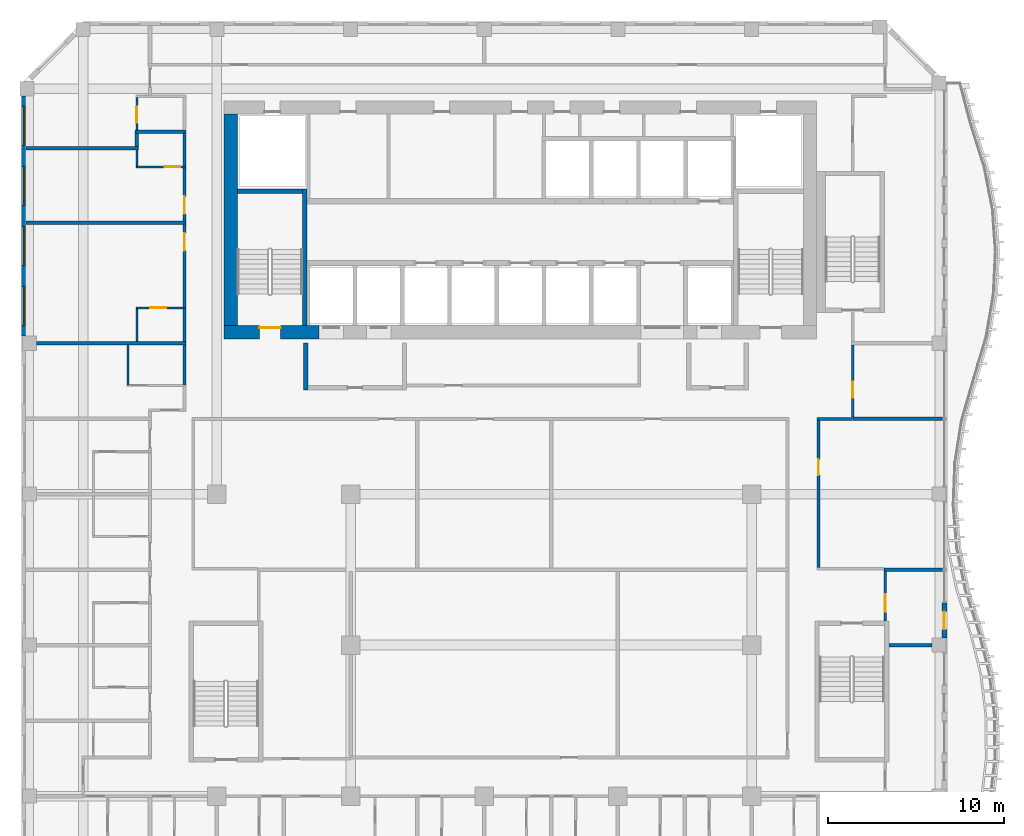
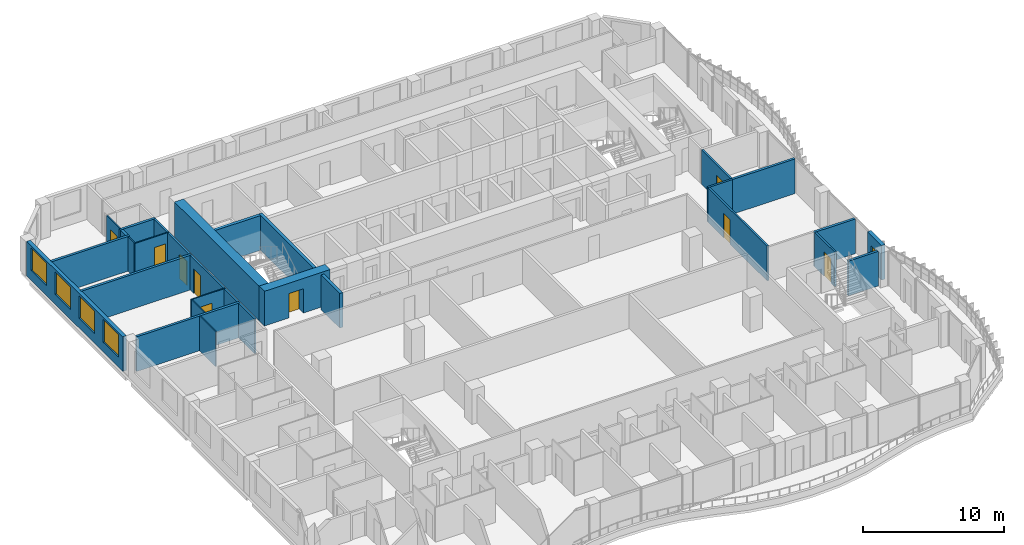
# One storey, part 14 of 24: 30 walls, 10 doors, 4 windows, 14 openings.
"""IFC4 building model written with IfcOpenShell, lengths in metres."""

import ifcopenshell
import ifcopenshell.guid

model = None  # the IFC model being written
_history = None  # IfcOwnerHistory: only IFC2X3 demands one
_inside = {}  # id of a spatial element -> (the spatial element, [elements in it])
_under = {}  # id of a project, library or spatial element -> (it, [spatial elements below it])
_declared = {}  # id of a project -> (the project, [libraries it declares])
_typed = {}  # id of a type object -> (the type object, [elements of that type])
_made_of = {}  # id of a material, layer set ... -> (it, [elements and type objects made of it])


def new_model(schema):
    """Start an empty IFC model of exactly this schema.

    Asked for "IFC4X3", IfcOpenShell would pick the latest addendum, in which some entities
    have other attributes; the version numbers below select the first issue.
    IFC2X3 requires an IfcOwnerHistory on every rooted entity: one is made here for all.
    """
    global model, _history
    if schema == "IFC4X3":
        model = ifcopenshell.file(schema_version=(4, 3, 0, 0))
    else:
        model = ifcopenshell.file(schema=schema)
    _inside.clear()
    _under.clear()
    _declared.clear()
    _typed.clear()
    _made_of.clear()
    _history = None
    if model.schema == "IFC2X3":
        org = make("IfcOrganization", Name="unknown")
        user = make(
            "IfcPersonAndOrganization",
            ThePerson=make("IfcPerson", FamilyName="unknown"),
            TheOrganization=org,
        )
        app = make(
            "IfcApplication",
            ApplicationDeveloper=org,
            Version="unknown",
            ApplicationFullName="unknown",
            ApplicationIdentifier="unknown",
        )
        _history = make(
            "IfcOwnerHistory",
            OwningUser=user,
            OwningApplication=app,
            ChangeAction="ADDED",
            CreationDate=0,
        )
    return model


def make(cls, **values):
    """One entity of the class cls with the attributes given. An attribute that is None is left unset."""
    return model.create_entity(
        cls, **{name: value for name, value in values.items() if value is not None}
    )


def rooted(cls, **values):
    """An entity with a GlobalId (a new one), such as an element, a storey or a relation."""
    return make(cls, GlobalId=ifcopenshell.guid.new(), OwnerHistory=_history, **values)


def si_unit(unit_type, name, prefix=None):
    """IfcSIUnit, for example si_unit("LENGTHUNIT", "METRE", prefix="MILLI")."""
    return make("IfcSIUnit", UnitType=unit_type, Prefix=prefix, Name=name)


def assignment(units):
    """IfcUnitAssignment: the units of a project."""
    return None if units is None else make("IfcUnitAssignment", Units=units)


def point(xyz):
    """IfcCartesianPoint."""
    return None if xyz is None else make("IfcCartesianPoint", Coordinates=xyz)


def direction(xyz):
    """IfcDirection."""
    return None if xyz is None else make("IfcDirection", DirectionRatios=xyz)


def frame(location, z_axis=None, x_axis=None):
    """IfcAxis2Placement3D, a coordinate frame: its origin and axes. An axis left out is left unset."""
    return make(
        "IfcAxis2Placement3D",
        Location=point(location),
        Axis=direction(z_axis),
        RefDirection=direction(x_axis),
    )


def frame_2d(location, x_axis=None):
    """IfcAxis2Placement2D, a coordinate frame in the plane: its origin and x axis."""
    return make(
        "IfcAxis2Placement2D", Location=point(location), RefDirection=direction(x_axis)
    )


def origin():
    """The frame at (0, 0, 0) with its axes left unset."""
    return frame((0.0, 0.0, 0.0))


def place(relative_to, where):
    """IfcLocalPlacement: puts the frame where relative to a parent placement (None: the world)."""
    return make(
        "IfcLocalPlacement", PlacementRelTo=relative_to, RelativePlacement=where
    )


def context(
    kind, dimensions, precision=None, world=None, true_north=None, identifier=None
):
    """IfcGeometricRepresentationContext, for example the 3D "Model" context."""
    return make(
        "IfcGeometricRepresentationContext",
        ContextIdentifier=identifier,
        ContextType=kind,
        CoordinateSpaceDimension=dimensions,
        Precision=precision,
        WorldCoordinateSystem=world,
        TrueNorth=true_north,
    )


def subcontext(parent, identifier, kind, view, scale=None):
    """IfcGeometricRepresentationSubContext, for example "Body" below "Model"."""
    return make(
        "IfcGeometricRepresentationSubContext",
        ContextIdentifier=identifier,
        ContextType=kind,
        ParentContext=parent,
        TargetScale=scale,
        TargetView=view,
    )


def project(units=None, contexts=None):
    """IfcProject with its units and contexts."""
    return rooted(
        "IfcProject",
        Name="project",
        RepresentationContexts=contexts,
        UnitsInContext=assignment(units),
    )


def spatial(cls, under=None, at=None, **own):
    """A site, building, storey or space (cls), placed at a placement, below another one or the project."""
    s = rooted(cls, ObjectPlacement=at, **own)
    if under is not None:
        _under.setdefault(under.id(), (under, []))[1].append(s)
    return s


def profile(cls, at=None, kind="AREA", **sizes):
    """A parametric profile (cls). Its sizes go by their IFC names, for example OverallWidth=200.0."""
    return make(cls, ProfileType=kind, Position=at, **sizes)


def rectangle(**sizes):
    """IfcRectangleProfileDef."""
    return profile("IfcRectangleProfileDef", **sizes)


def extrude(swept, where, along, depth):
    """IfcExtrudedAreaSolid: the profile swept, set in the frame where, extruded along a direction by depth."""
    return make(
        "IfcExtrudedAreaSolid",
        SweptArea=swept,
        Position=where,
        ExtrudedDirection=direction(along),
        Depth=depth,
    )


def shape(context_of_items, identifier, shape_type, items):
    """IfcShapeRepresentation: the items that make up one representation, for example the "Body"."""
    return make(
        "IfcShapeRepresentation",
        ContextOfItems=context_of_items,
        RepresentationIdentifier=identifier,
        RepresentationType=shape_type,
        Items=items,
    )


def source(mapping_origin, context_of_items, identifier, shape_type, items):
    """IfcRepresentationMap: a shape defined once, which mapped items show again and again."""
    return make(
        "IfcRepresentationMap",
        MappingOrigin=mapping_origin,
        MappedRepresentation=shape(context_of_items, identifier, shape_type, items),
    )


def transform(
    local_origin,
    x_axis=None,
    y_axis=None,
    z_axis=None,
    scale=None,
    scale2=None,
    scale3=None,
    uniform=True,
):
    """IfcCartesianTransformationOperator3D, or its non-uniform kind. x_axis, y_axis, z_axis: its Axis1, 2, 3."""
    if uniform:
        return make(
            "IfcCartesianTransformationOperator3D",
            Axis1=direction(x_axis),
            Axis2=direction(y_axis),
            LocalOrigin=point(local_origin),
            Scale=scale,
            Axis3=direction(z_axis),
        )
    return make(
        "IfcCartesianTransformationOperator3DnonUniform",
        Axis1=direction(x_axis),
        Axis2=direction(y_axis),
        LocalOrigin=point(local_origin),
        Scale=scale,
        Axis3=direction(z_axis),
        Scale2=scale2,
        Scale3=scale3,
    )


def mapped(mapping_source, mapping_target):
    """IfcMappedItem: shows the shape of a source again, moved by a transform."""
    return make(
        "IfcMappedItem", MappingSource=mapping_source, MappingTarget=mapping_target
    )


def material(Name=None, Category=None):
    """IfcMaterial."""
    return make("IfcMaterial", Name=Name, Category=Category)


def layer(
    of_material, thickness, ventilated=None, Name=None, Category=None, Priority=None
):
    """IfcMaterialLayer: one layer of a wall or slab, of a material (None: an air gap)."""
    return make(
        "IfcMaterialLayer",
        Material=of_material,
        LayerThickness=thickness,
        IsVentilated=ventilated,
        Name=Name,
        Category=Category,
        Priority=Priority,
    )


def layer_set(layers, Name=None):
    """IfcMaterialLayerSet."""
    return make("IfcMaterialLayerSet", MaterialLayers=layers, LayerSetName=Name)


def made_of(thing, what):
    """Note that an element or type object is made of a material, layer set ...; save() writes the relation."""
    if what is not None:
        _made_of.setdefault(what.id(), (what, []))[1].append(thing)
    return thing


def type_object(cls, material=None, **own):
    """A type object (cls), such as IfcWallType, which elements share."""
    return made_of(rooted(cls, **own), material)


def element(
    cls,
    number,
    at=None,
    inside=None,
    cuts=None,
    type_object=None,
    material=None,
    context=None,
    identifier="Body",
    shape_type=None,
    held_by="IfcProductDefinitionShape",
    body=None,
    shapes=None,
    **own,
):
    """One element of the class cls, such as IfcWall. Its Tag is "e" and its number.

    at: its placement. inside: the storey or other place that contains it. cuts: it is an
    opening in that element (IfcRelVoidsElement). A single representation is given by context,
    identifier, shape_type and body (its items); several are given by shapes. held_by: the class
    of the entity that holds the representations. save() writes the other relations.
    """
    e = rooted(cls, Tag="e%d" % number, ObjectPlacement=at, **own)
    if body is not None:
        shapes = [shape(context, identifier, shape_type, body)]
    if shapes is not None:
        e.Representation = make(held_by, Representations=shapes)
    if inside is not None:
        _inside.setdefault(inside.id(), (inside, []))[1].append(e)
    if cuts is not None:
        rooted(
            "IfcRelVoidsElement", RelatingBuildingElement=cuts, RelatedOpeningElement=e
        )
    if type_object is not None:
        _typed.setdefault(type_object.id(), (type_object, []))[1].append(e)
    return made_of(e, material)


def fill(opening, filler):
    """IfcRelFillsElement: the door or window that sits in an opening."""
    return rooted(
        "IfcRelFillsElement",
        RelatingOpeningElement=opening,
        RelatedBuildingElement=filler,
    )


def aggregate(whole, parts):
    """IfcRelAggregates: a whole, such as a stair, and the parts it consists of."""
    return rooted("IfcRelAggregates", RelatingObject=whole, RelatedObjects=parts)


def save(model, path):
    """Write the relations noted so far, then the file.

    IfcRelAggregates (storeys below a building ...), IfcRelContainedInSpatialStructure (elements
    in a storey), IfcRelDefinesByType, IfcRelAssociatesMaterial and IfcRelDeclares: one each for
    every whole, place, type object, material and project.
    """
    for whole, parts in _under.values():
        aggregate(whole, parts)
    for where, things in _inside.values():
        rooted(
            "IfcRelContainedInSpatialStructure",
            RelatedElements=things,
            RelatingStructure=where,
        )
    for kind, things in _typed.values():
        rooted("IfcRelDefinesByType", RelatedObjects=things, RelatingType=kind)
    for what, things in _made_of.values():
        rooted("IfcRelAssociatesMaterial", RelatedObjects=things, RelatingMaterial=what)
    for by, libraries in _declared.values():
        rooted("IfcRelDeclares", RelatingContext=by, RelatedDefinitions=libraries)
    model.write(path)


model = new_model("IFC4")

# Units and contexts
model_context = context("Model", 3, precision=1e-05, world=origin(), true_north=direction((0.0, 1.0)))
body_context = subcontext(model_context, "Body", "Model", "MODEL_VIEW")
ifc_project = project(units=[si_unit("LENGTHUNIT", "METRE"), si_unit("AREAUNIT", "SQUARE_METRE"), si_unit("VOLUMEUNIT", "CUBIC_METRE"), si_unit("PLANEANGLEUNIT", "RADIAN"), si_unit("MASSUNIT", "GRAM", prefix="KILO")], contexts=[model_context])

# Site, building, storey
site_placement = place(None, origin())
site = spatial("IfcSite", under=ifc_project, at=site_placement, CompositionType="ELEMENT")
building_placement = place(site_placement, origin())
building = spatial("IfcBuilding", under=site, at=building_placement, Name="Kilnfold Tower and Market Hall", CompositionType="ELEMENT")
storey_placement = place(building_placement, frame((0.0, 0.0, 192.300048828125)))
storey = spatial("IfcBuildingStorey", under=building, at=storey_placement, Name="L46", CompositionType="ELEMENT", Elevation=192.300048828125)

# Wall
ifc_material_1 = material(Name="Gypsum board on steel studs", Category="steel")
ifc_layer_1 = layer(ifc_material_1, 0.14990234375)
ifc_layer_set_1 = layer_set([ifc_layer_1], Name="Gypsum board on steel studs")
wall_type_1 = type_object("IfcWallType", Name="WALL CORRIDOR 150", PredefinedType="PARTITIONING", material=ifc_layer_set_1)
wall_1_placement = place(storey_placement, frame((-18.0, 5.639892578125, 0.0), z_axis=(0.0, 0.0, 1.0), x_axis=(0.0, 1.0, 0.0)))
element("IfcWall", 1, at=wall_1_placement, inside=storey, type_object=wall_type_1, Name="Partition LY28.21", PredefinedType="PARTITIONING", context=body_context, shape_type="SweptSolid", body=[
    extrude(rectangle(XDim=2.27001953125, YDim=0.14990234375, at=frame_2d((1.135009765625, 0.0))), origin(), (0.0, 0.0, 1.0), 3.0),
])

# Wall, opening, door
wall_2_placement = place(storey_placement, frame((-18.0, 10.0400390625, 0.0), z_axis=(0.0, 0.0, 1.0), x_axis=(0.0, 1.0, 0.0)))
wall_2 = element("IfcWall", 2, at=wall_2_placement, inside=storey, type_object=wall_type_1, Name="Partition LY28.22", PredefinedType="PARTITIONING", context=body_context, shape_type="SweptSolid", body=[
    extrude(rectangle(XDim=4.70703125, YDim=0.14990234375, at=frame_2d((2.353515625, 0.0))), origin(), (0.0, 0.0, 1.0), 3.0),
])
opening_1_placement = place(wall_2_placement, frame((3.2060546875, 0.0, 0.0)))
opening_1 = element("IfcOpeningElement", 3, at=opening_1_placement, cuts=wall_2, Name="Opening D1", PredefinedType="OPENING", context=body_context, shape_type="SweptSolid", body=[
    extrude(rectangle(XDim=1.0, YDim=2.10009765625, at=frame_2d((0.5, 1.050048828125))), frame((0.0, 0.0849609375, 0.0), z_axis=(0.0, -1.0, 0.0), x_axis=(1.0, 0.0, 0.0)), (0.0, 0.0, 1.0), 0.169921875),
])
ifc_material_2 = material(Name="Timber veneer door leaf in steel frame", Category="steel")
door_type_1 = type_object("IfcDoorType", Name="DOOR ENTRY 1000 X2100", OperationType="NOTDEFINED", PredefinedType="DOOR", material=ifc_material_2)
door_1_placement = place(opening_1_placement, origin())
door_1 = element("IfcDoor", 4, at=door_1_placement, inside=storey, type_object=door_type_1, Name="Door D1", OperationType="SINGLE_SWING_RIGHT", OverallHeight=2.10009765625, OverallWidth=1.0, PredefinedType="DOOR", context=body_context, shape_type="SweptSolid", body=[
    extrude(rectangle(XDim=1.0, YDim=2.10009765625, at=frame_2d((0.5, 1.050048828125))), frame((0.0, 0.02490234375, 0.0), z_axis=(0.0, -1.0, 0.0), x_axis=(1.0, 0.0, 0.0)), (0.0, 0.0, 1.0), 0.050048828125),
])
fill(opening_1, door_1)

# Wall
wall_3_placement = place(storey_placement, frame((-18.0, 8.090087890625, 0.0), z_axis=(0.0, 0.0, 1.0), x_axis=(0.0, 1.0, 0.0)))
element("IfcWall", 5, at=wall_3_placement, inside=storey, type_object=wall_type_1, Name="Partition LY28.23", PredefinedType="PARTITIONING", context=body_context, shape_type="SweptSolid", body=[
    extrude(rectangle(XDim=1.869873046875, YDim=0.14990234375, at=frame_2d((0.93505859375, 0.0))), origin(), (0.0, 0.0, 1.0), 3.0),
])

# Wall, opening, door
wall_4_placement = place(storey_placement, frame((-18.0, 14.927001953125, 0.0), z_axis=(0.0, 0.0, 1.0), x_axis=(0.0, 1.0, 0.0)))
wall_4 = element("IfcWall", 6, at=wall_4_placement, inside=storey, type_object=wall_type_1, Name="Partition LY28.24", PredefinedType="PARTITIONING", context=body_context, shape_type="SweptSolid", body=[
    extrude(rectangle(XDim=3.032958984375, YDim=0.14990234375, at=frame_2d((1.5166015625, 0.0))), origin(), (0.0, 0.0, 1.0), 3.0),
])
opening_2_placement = place(wall_4_placement, frame((0.404052734375, 0.0, 0.0)))
opening_2 = element("IfcOpeningElement", 7, at=opening_2_placement, cuts=wall_4, Name="Opening D1", PredefinedType="OPENING", context=body_context, shape_type="SweptSolid", body=[
    extrude(rectangle(XDim=1.0, YDim=2.10009765625, at=frame_2d((0.5, 1.050048828125))), frame((0.0, 0.0849609375, 0.0), z_axis=(0.0, -1.0, 0.0), x_axis=(1.0, 0.0, 0.0)), (0.0, 0.0, 1.0), 0.169921875),
])
door_2_placement = place(opening_2_placement, origin())
door_2 = element("IfcDoor", 8, at=door_2_placement, inside=storey, type_object=door_type_1, Name="Door D1", OperationType="SINGLE_SWING_LEFT", OverallHeight=2.10009765625, OverallWidth=1.0, PredefinedType="DOOR", context=body_context, shape_type="SweptSolid", body=[
    extrude(rectangle(XDim=1.0, YDim=2.10009765625, at=frame_2d((0.5, 1.050048828125))), frame((0.0, 0.02490234375, 0.0), z_axis=(0.0, -1.0, 0.0), x_axis=(1.0, 0.0, 0.0)), (0.0, 0.0, 1.0), 0.050048828125),
])
fill(opening_2, door_2)

# Wall
wall_5_placement = place(storey_placement, frame((-18.0, 18.0400390625, 0.0), z_axis=(0.0, 0.0, 1.0), x_axis=(0.0, 1.0, 0.0)))
element("IfcWall", 9, at=wall_5_placement, inside=storey, type_object=wall_type_1, Name="Partition LY28.25", PredefinedType="PARTITIONING", context=body_context, shape_type="SweptSolid", body=[
    extrude(rectangle(XDim=1.869873046875, YDim=0.14990234375, at=frame_2d((0.93505859375, 0.0))), origin(), (0.0, 0.0, 1.0), 3.0),
])

# Wall, opening, door
wall_6_placement = place(storey_placement, frame((19.89990234375, 3.80908203125, 0.0), z_axis=(0.0, 0.0, 1.0), x_axis=(0.0, 1.0, 0.0)))
wall_6 = element("IfcWall", 10, at=wall_6_placement, inside=storey, type_object=wall_type_1, Name="Partition LY28.29", PredefinedType="PARTITIONING", context=body_context, shape_type="SweptSolid", body=[
    extrude(rectangle(XDim=4.100830078125, YDim=0.14990234375, at=frame_2d((2.05029296875, 0.0))), origin(), (0.0, 0.0, 1.0), 3.0),
])
opening_3_placement = place(wall_6_placement, frame((1.10009765625, 0.0, 0.0)))
opening_3 = element("IfcOpeningElement", 11, at=opening_3_placement, cuts=wall_6, Name="Opening D2", PredefinedType="OPENING", context=body_context, shape_type="SweptSolid", body=[
    extrude(rectangle(XDim=0.89990234375, YDim=2.10009765625, at=frame_2d((0.449951171875, 1.050048828125))), frame((0.0, 0.0849609375, 0.0), z_axis=(0.0, -1.0, 0.0), x_axis=(1.0, 0.0, 0.0)), (0.0, 0.0, 1.0), 0.169921875),
])
ifc_material_3 = material(Name="Timber veneer door leaf in steel frame", Category="steel")
door_type_2 = type_object("IfcDoorType", Name="DOOR ROOM 900 X2100", OperationType="NOTDEFINED", PredefinedType="DOOR", material=ifc_material_3)
door_3_placement = place(opening_3_placement, origin())
door_3 = element("IfcDoor", 12, at=door_3_placement, inside=storey, type_object=door_type_2, Name="Door D2", OperationType="SINGLE_SWING_RIGHT", OverallHeight=2.10009765625, OverallWidth=0.89990234375, PredefinedType="DOOR", context=body_context, shape_type="SweptSolid", body=[
    extrude(rectangle(XDim=0.89990234375, YDim=2.10009765625, at=frame_2d((0.449951171875, 1.050048828125))), frame((0.0, 0.02490234375, 0.0), z_axis=(0.0, -1.0, 0.0), x_axis=(1.0, 0.0, 0.0)), (0.0, 0.0, 1.0), 0.050048828125),
])
fill(opening_3, door_3)

# Wall
wall_7_placement = place(storey_placement, frame((17.884033203125, 3.699951171875, 0.0), z_axis=(0.0, 0.0, 1.0), x_axis=(1.0, 0.0, 0.0)))
element("IfcWall", 13, at=wall_7_placement, inside=storey, type_object=wall_type_1, Name="Partition LY28.34", PredefinedType="PARTITIONING", context=body_context, shape_type="SweptSolid", body=[
    extrude(rectangle(XDim=2.015869140625, YDim=0.14990234375, at=frame_2d((1.0078125, 0.0))), origin(), (0.0, 0.0, 1.0), 3.0),
])

# Wall, opening, door
wall_8_placement = place(storey_placement, frame((17.958984375, -4.72509765625, 0.0), z_axis=(0.0, 0.0, 1.0), x_axis=(0.0, 1.0, 0.0)))
wall_8 = element("IfcWall", 14, at=wall_8_placement, inside=storey, type_object=wall_type_1, Name="Partition LY28.35", PredefinedType="PARTITIONING", context=body_context, shape_type="SweptSolid", body=[
    extrude(rectangle(XDim=8.35009765625, YDim=0.14990234375, at=frame_2d((4.175048828125, 0.0))), origin(), (0.0, 0.0, 1.0), 3.0),
])
opening_4_placement = place(wall_8_placement, frame((5.236083984375, 0.0, 0.0)))
opening_4 = element("IfcOpeningElement", 15, at=opening_4_placement, cuts=wall_8, Name="Opening D2", PredefinedType="OPENING", context=body_context, shape_type="SweptSolid", body=[
    extrude(rectangle(XDim=0.89990234375, YDim=2.10009765625, at=frame_2d((0.449951171875, 1.050048828125))), frame((0.0, 0.0849609375, 0.0), z_axis=(0.0, -1.0, 0.0), x_axis=(1.0, 0.0, 0.0)), (0.0, 0.0, 1.0), 0.169921875),
])
door_4_placement = place(opening_4_placement, origin())
door_4 = element("IfcDoor", 16, at=door_4_placement, inside=storey, type_object=door_type_2, Name="Door D2", OperationType="SINGLE_SWING_LEFT", OverallHeight=2.10009765625, OverallWidth=0.89990234375, PredefinedType="DOOR", context=body_context, shape_type="SweptSolid", body=[
    extrude(rectangle(XDim=0.89990234375, YDim=2.10009765625, at=frame_2d((0.449951171875, 1.050048828125))), frame((0.0, 0.02490234375, 0.0), z_axis=(0.0, -1.0, 0.0), x_axis=(1.0, 0.0, 0.0)), (0.0, 0.0, 1.0), 0.050048828125),
])
fill(opening_4, door_4)

wall_9_placement = place(storey_placement, frame((21.75, -7.75, 0.0), z_axis=(0.0, 0.0, 1.0), x_axis=(0.0, 1.0, 0.0)))
wall_9 = element("IfcWall", 17, at=wall_9_placement, inside=storey, type_object=wall_type_1, Name="Partition LY28.37", PredefinedType="PARTITIONING", context=body_context, shape_type="SweptSolid", body=[
    extrude(rectangle(XDim=2.81689453125, YDim=0.14990234375, at=frame_2d((1.408447265625, 0.0))), origin(), (0.0, 0.0, 1.0), 3.0),
])
opening_5_placement = place(wall_9_placement, frame((0.50390625, 0.0, 0.0)))
opening_5 = element("IfcOpeningElement", 18, at=opening_5_placement, cuts=wall_9, Name="Opening D4", PredefinedType="OPENING", context=body_context, shape_type="SweptSolid", body=[
    extrude(rectangle(XDim=1.0, YDim=2.10009765625, at=frame_2d((0.5, 1.050048828125))), frame((0.0, 0.0849609375, 0.0), z_axis=(0.0, -1.0, 0.0), x_axis=(1.0, 0.0, 0.0)), (0.0, 0.0, 1.0), 0.169921875),
])
ifc_material_4 = material(Name="Timber veneer door leaf in steel frame", Category="steel")
door_type_3 = type_object("IfcDoorType", Name="DOOR SERVICE 1000 X2100", OperationType="NOTDEFINED", PredefinedType="DOOR", material=ifc_material_4)
door_5_placement = place(opening_5_placement, origin())
door_5 = element("IfcDoor", 19, at=door_5_placement, inside=storey, type_object=door_type_3, Name="Door D4", OperationType="SINGLE_SWING_RIGHT", OverallHeight=2.10009765625, OverallWidth=1.0, PredefinedType="DOOR", context=body_context, shape_type="SweptSolid", body=[
    extrude(rectangle(XDim=1.0, YDim=2.10009765625, at=frame_2d((0.5, 1.050048828125))), frame((0.0, 0.02490234375, 0.0), z_axis=(0.0, -1.0, 0.0), x_axis=(1.0, 0.0, 0.0)), (0.0, 0.0, 1.0), 0.050048828125),
])
fill(opening_5, door_5)

# Wall
ifc_material_5 = material(Name="Gypsum board on steel studs", Category="steel")
ifc_layer_2 = layer(ifc_material_5, 0.10009765625)
ifc_layer_set_2 = layer_set([ifc_layer_2], Name="Gypsum board on steel studs")
wall_type_2 = type_object("IfcWallType", Name="WALL PARTITION 100", PredefinedType="PARTITIONING", material=ifc_layer_set_2)
wall_10_placement = place(storey_placement, frame((-21.201904296875, 5.64990234375, 0.0), z_axis=(0.0, 0.0, 1.0), x_axis=(0.0, 1.0, 0.0)))
element("IfcWall", 20, at=wall_10_placement, inside=storey, type_object=wall_type_2, Name="Partition LY28.102", PredefinedType="PARTITIONING", context=body_context, shape_type="SweptSolid", body=[
    extrude(rectangle(XDim=2.25, YDim=0.10009765625, at=frame_2d((1.125, 0.0))), origin(), (0.0, 0.0, 1.0), 3.0),
])

# Wall, opening, door
wall_11_placement = place(storey_placement, frame((-20.751953125, 10.0, 0.0), z_axis=(0.0, 0.0, 1.0), x_axis=(1.0, 0.0, 0.0)))
wall_11 = element("IfcWall", 21, at=wall_11_placement, inside=storey, type_object=wall_type_2, Name="Partition LY28.104", PredefinedType="PARTITIONING", context=body_context, shape_type="SweptSolid", body=[
    extrude(rectangle(XDim=2.824951171875, YDim=0.10009765625, at=frame_2d((1.41259765625, 0.0))), origin(), (0.0, 0.0, 1.0), 3.0),
])
opening_6_placement = place(wall_11_placement, frame((0.81005859375, 0.0, 0.0)))
opening_6 = element("IfcOpeningElement", 22, at=opening_6_placement, cuts=wall_11, Name="Opening D3", PredefinedType="OPENING", context=body_context, shape_type="SweptSolid", body=[
    extrude(rectangle(XDim=0.89990234375, YDim=2.10009765625, at=frame_2d((0.449951171875, 1.050048828125))), frame((0.0, 0.06005859375, 0.0), z_axis=(0.0, -1.0, 0.0), x_axis=(1.0, 0.0, 0.0)), (0.0, 0.0, 1.0), 0.1201171875),
])
ifc_material_6 = material(Name="Timber veneer door leaf in steel frame", Category="steel")
door_type_4 = type_object("IfcDoorType", Name="DOOR WC 900 X2100", OperationType="NOTDEFINED", PredefinedType="DOOR", material=ifc_material_6)
door_6_placement = place(opening_6_placement, origin())
door_6 = element("IfcDoor", 23, at=door_6_placement, inside=storey, type_object=door_type_4, Name="Door D3", OperationType="SINGLE_SWING_LEFT", OverallHeight=2.10009765625, OverallWidth=0.89990234375, PredefinedType="DOOR", context=body_context, shape_type="SweptSolid", body=[
    extrude(rectangle(XDim=0.89990234375, YDim=2.10009765625, at=frame_2d((0.449951171875, 1.050048828125))), frame((0.0, 0.02490234375, 0.0), z_axis=(0.0, -1.0, 0.0), x_axis=(1.0, 0.0, 0.0)), (0.0, 0.0, 1.0), 0.050048828125),
])
fill(opening_6, door_6)

# Wall
wall_12_placement = place(storey_placement, frame((-20.701904296875, 8.10009765625, 0.0), z_axis=(0.0, 0.0, 1.0), x_axis=(0.0, 1.0, 0.0)))
element("IfcWall", 24, at=wall_12_placement, inside=storey, type_object=wall_type_2, Name="Partition LY28.105", PredefinedType="PARTITIONING", context=body_context, shape_type="SweptSolid", body=[
    extrude(rectangle(XDim=1.849853515625, YDim=0.10009765625, at=frame_2d((0.9248046875, 0.0))), origin(), (0.0, 0.0, 1.0), 3.0),
])

# Wall, opening, door
wall_13_placement = place(storey_placement, frame((-17.927001953125, 18.0, 0.0), z_axis=(0.0, 0.0, 1.0), x_axis=(-1.0, 0.0, 0.0)))
wall_13 = element("IfcWall", 25, at=wall_13_placement, inside=storey, type_object=wall_type_2, Name="Partition LY28.107", PredefinedType="PARTITIONING", context=body_context, shape_type="SweptSolid", body=[
    extrude(rectangle(XDim=2.824951171875, YDim=0.10009765625, at=frame_2d((1.41259765625, 0.0))), origin(), (0.0, 0.0, 1.0), 3.0),
])
opening_7_placement = place(wall_13_placement, frame((0.302001953125, 0.0, 0.0)))
opening_7 = element("IfcOpeningElement", 26, at=opening_7_placement, cuts=wall_13, Name="Opening D3", PredefinedType="OPENING", context=body_context, shape_type="SweptSolid", body=[
    extrude(rectangle(XDim=0.89990234375, YDim=2.10009765625, at=frame_2d((0.449951171875, 1.050048828125))), frame((0.0, 0.06005859375, 0.0), z_axis=(0.0, -1.0, 0.0), x_axis=(1.0, 0.0, 0.0)), (0.0, 0.0, 1.0), 0.1201171875),
])
door_7_placement = place(opening_7_placement, origin())
door_7 = element("IfcDoor", 27, at=door_7_placement, inside=storey, type_object=door_type_4, Name="Door D3", OperationType="SINGLE_SWING_RIGHT", OverallHeight=2.10009765625, OverallWidth=0.89990234375, PredefinedType="DOOR", context=body_context, shape_type="SweptSolid", body=[
    extrude(rectangle(XDim=0.89990234375, YDim=2.10009765625, at=frame_2d((0.449951171875, 1.050048828125))), frame((0.0, 0.02490234375, 0.0), z_axis=(0.0, -1.0, 0.0), x_axis=(1.0, 0.0, 0.0)), (0.0, 0.0, 1.0), 0.050048828125),
])
fill(opening_7, door_7)

# Wall
wall_14_placement = place(storey_placement, frame((-20.701904296875, 18.050048828125, 0.0), z_axis=(0.0, 0.0, 1.0), x_axis=(0.0, 1.0, 0.0)))
element("IfcWall", 28, at=wall_14_placement, inside=storey, type_object=wall_type_2, Name="Partition LY28.108", PredefinedType="PARTITIONING", context=body_context, shape_type="SweptSolid", body=[
    extrude(rectangle(XDim=0.90283203125, YDim=0.10009765625, at=frame_2d((0.451416015625, 0.0))), origin(), (0.0, 0.0, 1.0), 3.0),
])

# Wall, opening, door
wall_15_placement = place(storey_placement, frame((-20.701904296875, 20.090087890625, 0.0), z_axis=(0.0, 0.0, 1.0), x_axis=(0.0, 1.0, 0.0)))
wall_15 = element("IfcWall", 29, at=wall_15_placement, inside=storey, type_object=wall_type_2, Name="Partition LY28.113", PredefinedType="PARTITIONING", context=body_context, shape_type="SweptSolid", body=[
    extrude(rectangle(XDim=1.85986328125, YDim=0.10009765625, at=frame_2d((0.929931640625, 0.0))), origin(), (0.0, 0.0, 1.0), 3.0),
])
opening_8_placement = place(wall_15_placement, frame((0.424072265625, 0.0, 0.0)))
opening_8 = element("IfcOpeningElement", 30, at=opening_8_placement, cuts=wall_15, Name="Opening D3", PredefinedType="OPENING", context=body_context, shape_type="SweptSolid", body=[
    extrude(rectangle(XDim=0.89990234375, YDim=2.10009765625, at=frame_2d((0.449951171875, 1.050048828125))), frame((0.0, 0.06005859375, 0.0), z_axis=(0.0, -1.0, 0.0), x_axis=(1.0, 0.0, 0.0)), (0.0, 0.0, 1.0), 0.1201171875),
])
door_8_placement = place(opening_8_placement, origin())
door_8 = element("IfcDoor", 31, at=door_8_placement, inside=storey, type_object=door_type_4, Name="Door D3", OperationType="SINGLE_SWING_LEFT", OverallHeight=2.10009765625, OverallWidth=0.89990234375, PredefinedType="DOOR", context=body_context, shape_type="SweptSolid", body=[
    extrude(rectangle(XDim=0.89990234375, YDim=2.10009765625, at=frame_2d((0.449951171875, 1.050048828125))), frame((0.0, 0.02490234375, 0.0), z_axis=(0.0, -1.0, 0.0), x_axis=(1.0, 0.0, 0.0)), (0.0, 0.0, 1.0), 0.050048828125),
])
fill(opening_8, door_8)

# Walls
ifc_material_7 = material(Name="Gypsum board on steel studs", Category="steel")
ifc_layer_3 = layer(ifc_material_7, 0.199951171875)
ifc_layer_set_3 = layer_set([ifc_layer_3], Name="Gypsum board on steel studs")
wall_type_3 = type_object("IfcWallType", Name="WALL PARTY 200", PredefinedType="PARTITIONING", material=ifc_layer_set_3)
wall_16_placement = place(storey_placement, frame((-26.39990234375, 8.0, 0.0), z_axis=(0.0, 0.0, 1.0), x_axis=(1.0, 0.0, 0.0)))
element("IfcWall", 32, at=wall_16_placement, inside=storey, type_object=wall_type_3, Name="Partition LY28.103", PredefinedType="PARTITIONING", context=body_context, shape_type="SweptSolid", body=[
    extrude(rectangle(XDim=8.472900390625, YDim=0.199951171875, at=frame_2d((4.236328125, 0.0))), origin(), (0.0, 0.0, 1.0), 3.0),
])
wall_17_placement = place(storey_placement, frame((-17.927001953125, 14.8369140625, 0.0), z_axis=(0.0, 0.0, 1.0), x_axis=(-1.0, 0.0, 0.0)))
element("IfcWall", 33, at=wall_17_placement, inside=storey, type_object=wall_type_3, Name="Partition LY28.106", PredefinedType="PARTITIONING", context=body_context, shape_type="SweptSolid", body=[
    extrude(rectangle(XDim=9.072998046875, YDim=0.199951171875, at=frame_2d((4.53662109375, 0.0))), origin(), (0.0, 0.0, 1.0), 3.0),
])
wall_18_placement = place(storey_placement, frame((-20.60205078125, 19.052978515625, 0.0), z_axis=(0.0, 0.0, 1.0), x_axis=(-1.0, 0.0, 0.0)))
element("IfcWall", 34, at=wall_18_placement, inside=storey, type_object=wall_type_3, Name="Partition LY28.109", PredefinedType="PARTITIONING", context=body_context, shape_type="SweptSolid", body=[
    extrude(rectangle(XDim=6.39794921875, YDim=0.199951171875, at=frame_2d((3.198974609375, 0.0))), origin(), (0.0, 0.0, 1.0), 3.0),
])
wall_19_placement = place(storey_placement, frame((-20.701904296875, 19.89990234375, 0.0), z_axis=(0.0, 0.0, 1.0), x_axis=(0.0, -1.0, 0.0)))
element("IfcWall", 35, at=wall_19_placement, inside=storey, type_object=wall_type_3, Name="Partition LY28.110", PredefinedType="PARTITIONING", context=body_context, shape_type="SweptSolid", body=[
    extrude(rectangle(XDim=0.7568359375, YDim=0.199951171875, at=frame_2d((0.37841796875, 0.0))), origin(), (0.0, 0.0, 1.0), 3.0),
])
wall_20_placement = place(storey_placement, frame((-17.927001953125, 20.0, 0.0), z_axis=(0.0, 0.0, 1.0), x_axis=(-1.0, 0.0, 0.0)))
element("IfcWall", 36, at=wall_20_placement, inside=storey, type_object=wall_type_3, Name="Partition LY28.111", PredefinedType="PARTITIONING", context=body_context, shape_type="SweptSolid", body=[
    extrude(rectangle(XDim=2.875, YDim=0.199951171875, at=frame_2d((1.4375, 0.0))), origin(), (0.0, 0.0, 1.0), 3.0),
])
wall_21_placement = place(storey_placement, frame((19.902099609375, 3.718994140625, 0.0), z_axis=(0.0, 0.0, 1.0), x_axis=(1.0, 0.0, 0.0)))
element("IfcWall", 37, at=wall_21_placement, inside=storey, type_object=wall_type_3, Name="Partition LY28.116", PredefinedType="PARTITIONING", context=body_context, shape_type="SweptSolid", body=[
    extrude(rectangle(XDim=5.097900390625, YDim=0.199951171875, at=frame_2d((2.548828125, 0.0))), origin(), (0.0, 0.0, 1.0), 3.0),
])
wall_22_placement = place(storey_placement, frame((21.677001953125, -4.843017578125, 0.0), z_axis=(0.0, 0.0, 1.0), x_axis=(1.0, 0.0, 0.0)))
element("IfcWall", 38, at=wall_22_placement, inside=storey, type_object=wall_type_3, Name="Partition LY28.119", PredefinedType="PARTITIONING", context=body_context, shape_type="SweptSolid", body=[
    extrude(rectangle(XDim=3.322998046875, YDim=0.199951171875, at=frame_2d((1.66162109375, 0.0))), origin(), (0.0, 0.0, 1.0), 3.0),
])
wall_23_placement = place(storey_placement, frame((21.949951171875, -9.125, 0.0), z_axis=(0.0, 0.0, 1.0), x_axis=(1.0, 0.0, 0.0)))
element("IfcWall", 39, at=wall_23_placement, inside=storey, type_object=wall_type_3, Name="Partition LY28.120", PredefinedType="PARTITIONING", context=body_context, shape_type="SweptSolid", body=[
    extrude(rectangle(XDim=2.449951171875, YDim=0.199951171875, at=frame_2d((1.22509765625, 0.0))), origin(), (0.0, 0.0, 1.0), 3.0),
])
ifc_material_8 = material(Name="Concrete C60", Category="concrete")
ifc_layer_4 = layer(ifc_material_8, 0.25)
ifc_layer_set_4 = layer_set([ifc_layer_4], Name="Concrete C60")
wall_type_4 = type_object("IfcWallType", Name="CORE WALL 250 C60", PredefinedType="SHEAR", material=ifc_layer_set_4)
shared_shape_1 = source(origin(), body_context, "Body", "SweptSolid", [
    extrude(rectangle(XDim=7.75, YDim=0.25, at=frame_2d((3.875, 0.0))), origin(), (0.0, 0.0, 1.0), 3.0),
])
wall_24_placement = place(storey_placement, frame((-11.175048828125, 9.0, 0.0), z_axis=(0.0, 0.0, 1.0), x_axis=(0.0, 1.0, 0.0)))
element("IfcWall", 40, at=wall_24_placement, inside=storey, type_object=wall_type_4, Name="Stair enclosure ST1", PredefinedType="SHEAR", context=body_context, shape_type="MappedRepresentation", body=[
    mapped(shared_shape_1, transform((0.0, 0.0, 0.0))),
])
shared_shape_2 = source(origin(), body_context, "Body", "SweptSolid", [
    extrude(rectangle(XDim=3.699951171875, YDim=0.25, at=frame_2d((1.85009765625, 0.0))), origin(), (0.0, 0.0, 1.0), 3.0),
])
wall_25_placement = place(storey_placement, frame((-15.0, 16.625, 0.0), z_axis=(0.0, 0.0, 1.0), x_axis=(1.0, 0.0, 0.0)))
element("IfcWall", 41, at=wall_25_placement, inside=storey, type_object=wall_type_4, Name="Stair enclosure ST1", PredefinedType="SHEAR", context=body_context, shape_type="MappedRepresentation", body=[
    mapped(shared_shape_2, transform((0.0, 0.0, 0.0))),
])

# Wall, opening, door
ifc_material_9 = material(Name="Concrete C60", Category="concrete")
ifc_layer_5 = layer(ifc_material_9, 0.75)
ifc_layer_set_5 = layer_set([ifc_layer_5], Name="Concrete C60")
wall_type_5 = type_object("IfcWallType", Name="CORE WALL 750 C60", PredefinedType="SHEAR", material=ifc_layer_set_5)
shared_shape_3 = source(origin(), body_context, "Body", "SweptSolid", [
    extrude(rectangle(XDim=5.3798828125, YDim=0.75, at=frame_2d((2.68994140625, 0.0))), origin(), (0.0, 0.0, 1.0), 3.0),
])
wall_26_placement = place(storey_placement, frame((-15.75, 8.625, 0.0), z_axis=(0.0, 0.0, 1.0), x_axis=(1.0, 0.0, 0.0)))
wall_26 = element("IfcWall", 42, at=wall_26_placement, inside=storey, type_object=wall_type_5, Name="Core outer wall south", PredefinedType="SHEAR", context=body_context, shape_type="MappedRepresentation", body=[
    mapped(shared_shape_3, transform((0.0, 0.0, 0.0))),
])
opening_9_placement = place(wall_26_placement, frame((2.0, 0.0, 0.0)))
opening_9 = element("IfcOpeningElement", 43, at=opening_9_placement, cuts=wall_26, Name="Opening SD1", PredefinedType="OPENING", context=body_context, shape_type="SweptSolid", body=[
    extrude(rectangle(XDim=1.199951171875, YDim=2.10009765625, at=frame_2d((0.60009765625, 1.050048828125))), frame((0.0, 0.385009765625, 0.0), z_axis=(0.0, -1.0, 0.0), x_axis=(1.0, 0.0, 0.0)), (0.0, 0.0, 1.0), 0.77001953125),
])
ifc_material_10 = material(Name="Steel door set with fire-resisting leaf", Category="steel")
door_type_5 = type_object("IfcDoorType", Name="STAIR FLOOR DOOR 1200X2100", OperationType="NOTDEFINED", PredefinedType="DOOR", material=ifc_material_10)
door_9_placement = place(opening_9_placement, origin())
door_9 = element("IfcDoor", 44, at=door_9_placement, inside=storey, type_object=door_type_5, Name="Exit stair ST1 door", OperationType="DOUBLE_DOOR_SINGLE_SWING", OverallHeight=2.10009765625, OverallWidth=1.199951171875, PredefinedType="DOOR", context=body_context, shape_type="SweptSolid", body=[
    extrude(rectangle(XDim=1.199951171875, YDim=2.10009765625, at=frame_2d((0.60009765625, 1.050048828125))), frame((0.0, 0.27978515625, 0.0), z_axis=(0.0, -1.0, 0.0), x_axis=(1.0, 0.0, 0.0)), (0.0, 0.0, 1.0), 0.050048828125),
])
fill(opening_9, door_9)

# Wall
shared_shape_4 = source(origin(), body_context, "Body", "SweptSolid", [
    extrude(rectangle(XDim=12.0, YDim=0.75, at=frame_2d((6.0, 0.0))), origin(), (0.0, 0.0, 1.0), 3.0),
])
wall_27_placement = place(storey_placement, frame((-15.375, 9.0, 0.0), z_axis=(0.0, 0.0, 1.0), x_axis=(0.0, 1.0, 0.0)))
element("IfcWall", 45, at=wall_27_placement, inside=storey, type_object=wall_type_5, Name="Core outer wall west", PredefinedType="SHEAR", context=body_context, shape_type="MappedRepresentation", body=[
    mapped(shared_shape_4, transform((0.0, 0.0, 0.0))),
])

# Wall, opening, door
ifc_material_11 = material(Name="Precast concrete C50/60", Category="concrete")
ifc_layer_6 = layer(ifc_material_11, 0.300048828125)
ifc_layer_set_6 = layer_set([ifc_layer_6], Name="Precast concrete C50/60")
wall_type_6 = type_object("IfcWallType", Name="PRECAST WALL 300", PredefinedType="SOLIDWALL", material=ifc_layer_set_6)
shared_shape_5 = source(origin(), body_context, "Body", "SweptSolid", [
    extrude(rectangle(XDim=2.0, YDim=0.300048828125, at=frame_2d((1.0, 0.0))), origin(), (0.0, 0.0, 1.0), 3.0),
])
wall_28_placement = place(storey_placement, frame((25.10009765625, -8.72509765625, 0.0), z_axis=(0.0, 0.0, 1.0), x_axis=(0.0, 1.0, 0.0)))
wall_28 = element("IfcWall", 46, at=wall_28_placement, inside=storey, type_object=wall_type_6, Name="External wall L46 E", PredefinedType="SOLIDWALL", context=body_context, shape_type="MappedRepresentation", body=[
    mapped(shared_shape_5, transform((0.0, 0.0, 0.0))),
])
opening_10_placement = place(wall_28_placement, frame((0.5, 0.0, 0.0)))
opening_10 = element("IfcOpeningElement", 47, at=opening_10_placement, cuts=wall_28, Name="Opening BD1", PredefinedType="OPENING", context=body_context, shape_type="SweptSolid", body=[
    extrude(rectangle(XDim=1.0, YDim=2.10009765625, at=frame_2d((0.5, 1.050048828125))), frame((0.0, 0.16015625, 0.0), z_axis=(0.0, -1.0, 0.0), x_axis=(1.0, 0.0, 0.0)), (0.0, 0.0, 1.0), 0.320068359375),
])
ifc_material_12 = material(Name="Aluminium frame and double glazing", Category="aluminium")
door_type_6 = type_object("IfcDoorType", Name="BALCONY DOOR 1000X2100", OperationType="NOTDEFINED", PredefinedType="DOOR", material=ifc_material_12)
door_10_placement = place(opening_10_placement, origin())
door_10 = element("IfcDoor", 48, at=door_10_placement, inside=storey, type_object=door_type_6, Name="Balcony door BD1 L46 E-1", OperationType="SINGLE_SWING_LEFT", OverallHeight=2.10009765625, OverallWidth=1.0, PredefinedType="DOOR", context=body_context, shape_type="SweptSolid", body=[
    extrude(rectangle(XDim=1.0, YDim=2.10009765625, at=frame_2d((0.5, 1.050048828125))), frame((0.0, 0.02490234375, 0.0), z_axis=(0.0, -1.0, 0.0), x_axis=(1.0, 0.0, 0.0)), (0.0, 0.0, 1.0), 0.050048828125),
])
fill(opening_10, door_10)

# Wall, openings, windows
shared_shape_6 = source(origin(), body_context, "Body", "SweptSolid", [
    extrude(rectangle(XDim=13.6318359375, YDim=0.300048828125, at=frame_2d((6.81591796875, 0.0))), origin(), (0.0, 0.0, 1.0), 3.0),
])
wall_29_placement = place(storey_placement, frame((-27.10009765625, 22.03173828125, 0.0), z_axis=(0.0, 0.0, 1.0), x_axis=(0.0, -1.0, 0.0)))
wall_29 = element("IfcWall", 49, at=wall_29_placement, inside=storey, type_object=wall_type_6, Name="External wall L46 W", PredefinedType="SOLIDWALL", context=body_context, shape_type="MappedRepresentation", body=[
    mapped(shared_shape_6, transform((0.0, 0.0, 0.0))),
])
opening_11_placement = place(wall_29_placement, frame((0.60400390625, 0.0, 0.85009765625)))
opening_11 = element("IfcOpeningElement", 50, at=opening_11_placement, cuts=wall_29, Name="Opening W2", PredefinedType="OPENING", context=body_context, shape_type="SweptSolid", body=[
    extrude(rectangle(XDim=2.199951171875, YDim=1.949951171875, at=frame_2d((1.10009765625, 0.97509765625))), frame((0.0, 0.16015625, 0.0), z_axis=(0.0, -1.0, 0.0), x_axis=(1.0, 0.0, 0.0)), (0.0, 0.0, 1.0), 0.320068359375),
])
opening_12_placement = place(wall_29_placement, frame((4.011962890625, 0.0, 0.85009765625)))
opening_12 = element("IfcOpeningElement", 51, at=opening_12_placement, cuts=wall_29, Name="Opening W2", PredefinedType="OPENING", context=body_context, shape_type="SweptSolid", body=[
    extrude(rectangle(XDim=2.199951171875, YDim=1.949951171875, at=frame_2d((1.10009765625, 0.97509765625))), frame((0.0, 0.16015625, 0.0), z_axis=(0.0, -1.0, 0.0), x_axis=(1.0, 0.0, 0.0)), (0.0, 0.0, 1.0), 0.320068359375),
])
opening_13_placement = place(wall_29_placement, frame((7.419921875, 0.0, 0.85009765625)))
opening_13 = element("IfcOpeningElement", 52, at=opening_13_placement, cuts=wall_29, Name="Opening W2", PredefinedType="OPENING", context=body_context, shape_type="SweptSolid", body=[
    extrude(rectangle(XDim=2.199951171875, YDim=1.949951171875, at=frame_2d((1.10009765625, 0.97509765625))), frame((0.0, 0.16015625, 0.0), z_axis=(0.0, -1.0, 0.0), x_axis=(1.0, 0.0, 0.0)), (0.0, 0.0, 1.0), 0.320068359375),
])
opening_14_placement = place(wall_29_placement, frame((10.827880859375, 0.0, 0.85009765625)))
opening_14 = element("IfcOpeningElement", 53, at=opening_14_placement, cuts=wall_29, Name="Opening W2", PredefinedType="OPENING", context=body_context, shape_type="SweptSolid", body=[
    extrude(rectangle(XDim=2.199951171875, YDim=1.949951171875, at=frame_2d((1.10009765625, 0.97509765625))), frame((0.0, 0.16015625, 0.0), z_axis=(0.0, -1.0, 0.0), x_axis=(1.0, 0.0, 0.0)), (0.0, 0.0, 1.0), 0.320068359375),
])
ifc_material_13 = material(Name="Aluminium frame and double glazing", Category="aluminium")
window_type = type_object("IfcWindowType", Name="WINDOW W2 2200X1950", PartitioningType="SINGLE_PANEL", PredefinedType="WINDOW", material=ifc_material_13)
window_1_placement = place(opening_11_placement, origin())
window_1 = element("IfcWindow", 54, at=window_1_placement, inside=storey, type_object=window_type, Name="Window W2 L46 W-1", OverallHeight=1.949951171875, OverallWidth=2.199951171875, PartitioningType="SINGLE_PANEL", PredefinedType="WINDOW", context=body_context, shape_type="SweptSolid", body=[
    extrude(rectangle(XDim=2.199951171875, YDim=1.949951171875, at=frame_2d((1.10009765625, 0.97509765625))), frame((0.0, 0.030029296875, 0.0), z_axis=(0.0, -1.0, 0.0), x_axis=(1.0, 0.0, 0.0)), (0.0, 0.0, 1.0), 0.06005859375),
])
fill(opening_11, window_1)
window_2_placement = place(opening_12_placement, origin())
window_2 = element("IfcWindow", 55, at=window_2_placement, inside=storey, type_object=window_type, Name="Window W2 L46 W-2", OverallHeight=1.949951171875, OverallWidth=2.199951171875, PartitioningType="SINGLE_PANEL", PredefinedType="WINDOW", context=body_context, shape_type="SweptSolid", body=[
    extrude(rectangle(XDim=2.199951171875, YDim=1.949951171875, at=frame_2d((1.10009765625, 0.97509765625))), frame((0.0, 0.030029296875, 0.0), z_axis=(0.0, -1.0, 0.0), x_axis=(1.0, 0.0, 0.0)), (0.0, 0.0, 1.0), 0.06005859375),
])
fill(opening_12, window_2)
window_3_placement = place(opening_13_placement, origin())
window_3 = element("IfcWindow", 56, at=window_3_placement, inside=storey, type_object=window_type, Name="Window W2 L46 W-3", OverallHeight=1.949951171875, OverallWidth=2.199951171875, PartitioningType="SINGLE_PANEL", PredefinedType="WINDOW", context=body_context, shape_type="SweptSolid", body=[
    extrude(rectangle(XDim=2.199951171875, YDim=1.949951171875, at=frame_2d((1.10009765625, 0.97509765625))), frame((0.0, 0.030029296875, 0.0), z_axis=(0.0, -1.0, 0.0), x_axis=(1.0, 0.0, 0.0)), (0.0, 0.0, 1.0), 0.06005859375),
])
fill(opening_13, window_3)
window_4_placement = place(opening_14_placement, origin())
window_4 = element("IfcWindow", 57, at=window_4_placement, inside=storey, type_object=window_type, Name="Window W2 L46 W-4", OverallHeight=1.949951171875, OverallWidth=2.199951171875, PartitioningType="SINGLE_PANEL", PredefinedType="WINDOW", context=body_context, shape_type="SweptSolid", body=[
    extrude(rectangle(XDim=2.199951171875, YDim=1.949951171875, at=frame_2d((1.10009765625, 0.97509765625))), frame((0.0, 0.030029296875, 0.0), z_axis=(0.0, -1.0, 0.0), x_axis=(1.0, 0.0, 0.0)), (0.0, 0.0, 1.0), 0.06005859375),
])
fill(opening_14, window_4)

# Wall
ifc_material_14 = material(Name="Gypsum shaft wall system")
ifc_layer_7 = layer(ifc_material_14, 0.25)
ifc_layer_set_7 = layer_set([ifc_layer_7], Name="Gypsum shaft wall system")
wall_type_7 = type_object("IfcWallType", Name="LOBBY WALL 250", PredefinedType="PARTITIONING", material=ifc_layer_set_7)
shared_shape_7 = source(origin(), body_context, "Body", "SweptSolid", [
    extrude(rectangle(XDim=2.64990234375, YDim=0.25, at=frame_2d((1.324951171875, 0.0))), origin(), (0.0, 0.0, 1.0), 3.0),
])
wall_30_placement = place(storey_placement, frame((-11.135009765625, 5.35009765625, 0.0), z_axis=(0.0, 0.0, 1.0), x_axis=(0.0, 1.0, 0.0)))
element("IfcWall", 58, at=wall_30_placement, inside=storey, type_object=wall_type_7, Name="Firefighting lobby wall", PredefinedType="PARTITIONING", context=body_context, shape_type="MappedRepresentation", body=[
    mapped(shared_shape_7, transform((0.0, 0.0, 0.0))),
])

save(model, "model.ifc")
